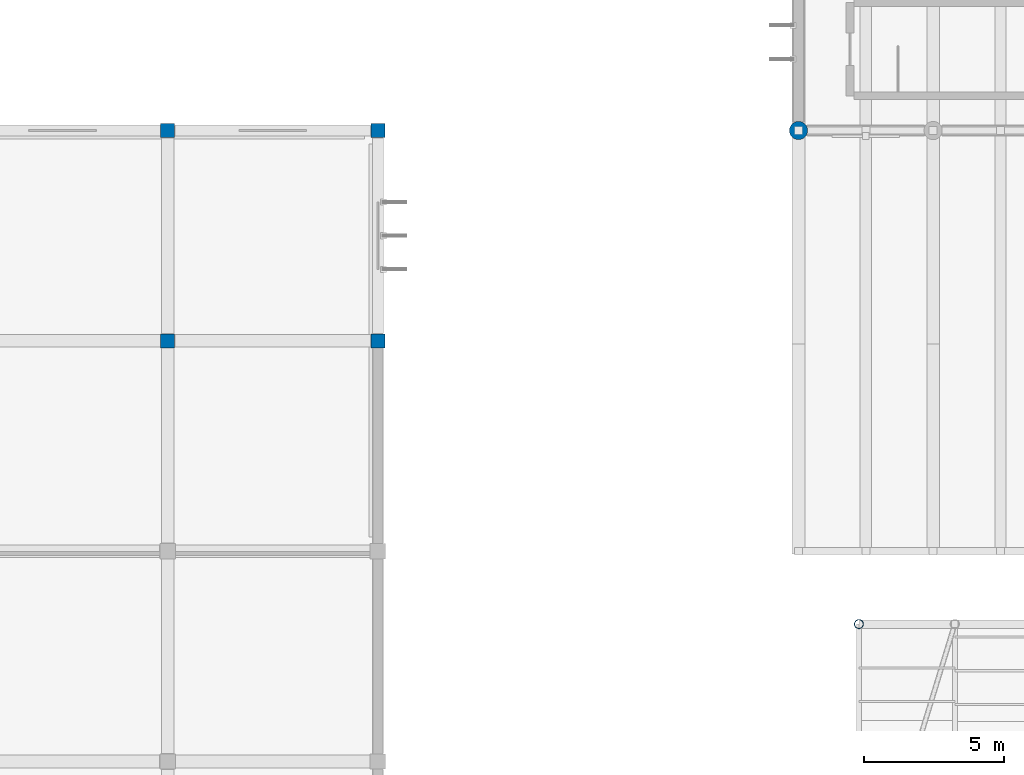
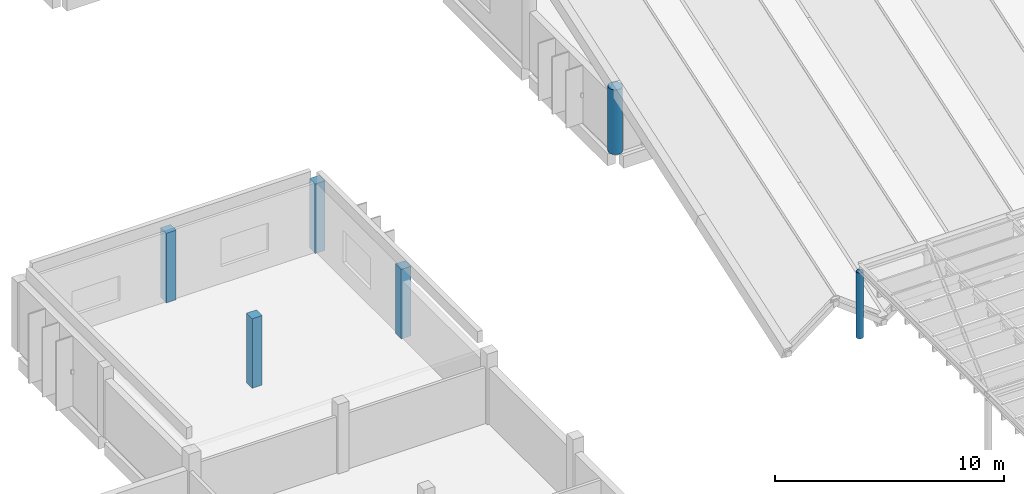
# One storey, part 4 of 47: 6 columns.
"""IFC4 building model written with IfcOpenShell, lengths in metres."""

from ifc_helpers import new_model, si_unit, direction, frame, origin, origin_2d, place, context, subcontext, project, spatial, rectangle, circle, hollow_circle, extrude, material, material_profile, profile_set, type_object, element, save


model = new_model("IFC4")

# Units and contexts
model_context = context("Model", 3, precision=1e-05, world=origin(), true_north=direction((0.0, 1.0)))
body_context = subcontext(model_context, "Body", "Model", "MODEL_VIEW")
ifc_project = project(units=[si_unit("LENGTHUNIT", "METRE"), si_unit("AREAUNIT", "SQUARE_METRE"), si_unit("VOLUMEUNIT", "CUBIC_METRE"), si_unit("PLANEANGLEUNIT", "RADIAN"), si_unit("MASSUNIT", "GRAM", prefix="KILO")], contexts=[model_context])

# Site, building, storey
site_placement = place(None, origin())
site = spatial("IfcSite", under=ifc_project, at=site_placement, CompositionType="ELEMENT")
building_placement = place(site_placement, origin())
building = spatial("IfcBuilding", under=site, at=building_placement, Name="Mawjan Specialist Oncology Clinic", CompositionType="ELEMENT")
storey_placement = place(building_placement, frame((0.0, 0.0, 9.5)))
storey = spatial("IfcBuildingStorey", under=building, at=storey_placement, Name="L02", CompositionType="ELEMENT", Elevation=9.5)

# Columns
ifc_material_1 = material(Name="Concrete C45/55", Category="concrete")
ifc_material_profile_1 = material_profile(ifc_material_1, rectangle(XDim=0.5, YDim=0.5, at=origin_2d()), Name="RC COL 500x500", Category="concrete")
ifc_profile_set_1 = profile_set([ifc_material_profile_1], Name="Concrete C45/55")
column_type_1 = type_object("IfcColumnType", Name="C-500", PredefinedType="COLUMN", material=ifc_profile_set_1)
for number, where, z_axis, x_axis, name in (
    (1, (37.5, 53.300048828125, 0.0), (0.0, 0.0, 1.0), (1.0, 0.0, 0.0), "L02 Column G-6-H"),
    (2, (37.5, 60.800048828125, 0.0), (0.0, 0.0, 1.0), (1.0, 0.0, 0.0), "L02 Column G-6-J"),
    (3, (45.0, 53.300048828125, 0.0), (0.0, 0.0, 1.0), (1.0, 0.0, 0.0), "L02 Column G-7-H"),
    (4, (45.0, 60.800048828125, 0.0), (0.0, 0.0, 1.0), (1.0, 0.0, 0.0), "L02 Column G-7-J"),
):
    element("IfcColumn", number, at=place(storey_placement, frame(where, z_axis=z_axis, x_axis=x_axis)), inside=storey, type_object=column_type_1, Name=name, PredefinedType="COLUMN", context=body_context, shape_type="SweptSolid", body=[
        extrude(rectangle(XDim=0.5, YDim=0.5, at=origin_2d()), origin(), (0.0, 0.0, 1.0), 3.699951171875),
    ])
ifc_material_2 = material(Name="Concrete C45/55", Category="concrete")
ifc_material_profile_2 = material_profile(ifc_material_2, circle(Radius=0.324951171875, at=origin_2d()), Name="RC COL D650", Category="concrete")
ifc_profile_set_2 = profile_set([ifc_material_profile_2], Name="Concrete C45/55")
column_type_2 = type_object("IfcColumnType", Name="C-D650", PredefinedType="COLUMN", material=ifc_profile_set_2)
column_1_placement = place(storey_placement, frame((60.0, 60.800048828125, 0.0), z_axis=(0.0, 0.0, 1.0), x_axis=(1.0, 0.0, 0.0)))
element("IfcColumn", 5, at=column_1_placement, inside=storey, type_object=column_type_2, Name="Hall Valley L02 Column 1-60", PredefinedType="COLUMN", context=body_context, shape_type="SweptSolid", body=[
    extrude(circle(Radius=0.324951171875, at=origin_2d()), origin(), (0.0, 0.0, 1.0), 3.449951171875),
])
ifc_material_3 = material(Name="Structural steel S355", Category="steel")
ifc_material_profile_3 = material_profile(ifc_material_3, hollow_circle(Radius=0.161865234375, WallThickness=0.011962890625, at=origin_2d()), Name="CHS 323.9x12", Category="steel")
ifc_profile_set_3 = profile_set([ifc_material_profile_3], Name="Structural steel S355")
column_type_3 = type_object("IfcColumnType", Name="SC-CHS324", PredefinedType="COLUMN", material=ifc_profile_set_3)
column_2_placement = place(storey_placement, frame((62.152587890625, 43.199951171875, 0.0), z_axis=(0.0, 0.0, 1.0), x_axis=(1.0, 0.0, 0.0)))
element("IfcColumn", 6, at=column_2_placement, inside=storey, type_object=column_type_3, Name="Courtyard North Colonnade Column 01 L02", PredefinedType="COLUMN", context=body_context, shape_type="SweptSolid", body=[
    extrude(hollow_circle(Radius=0.161865234375, WallThickness=0.011962890625, at=origin_2d()), origin(), (0.0, 0.0, 1.0), 3.5),
])

save(model, "model.ifc")
